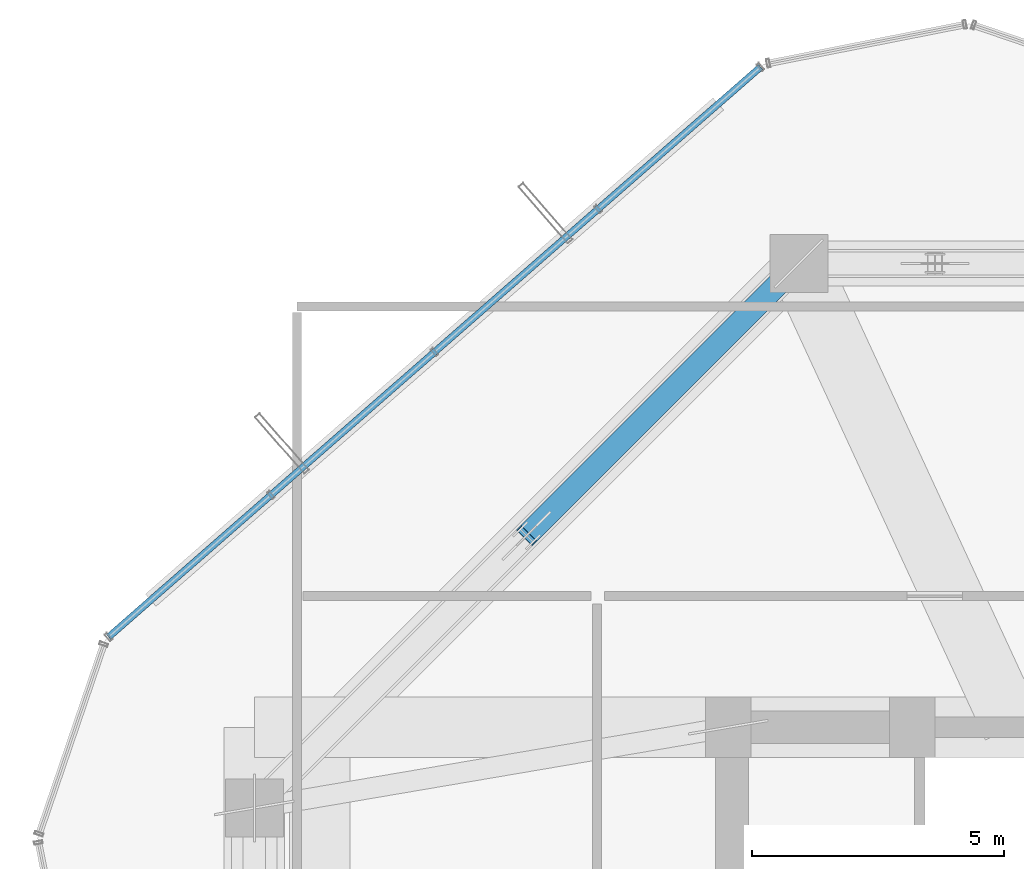
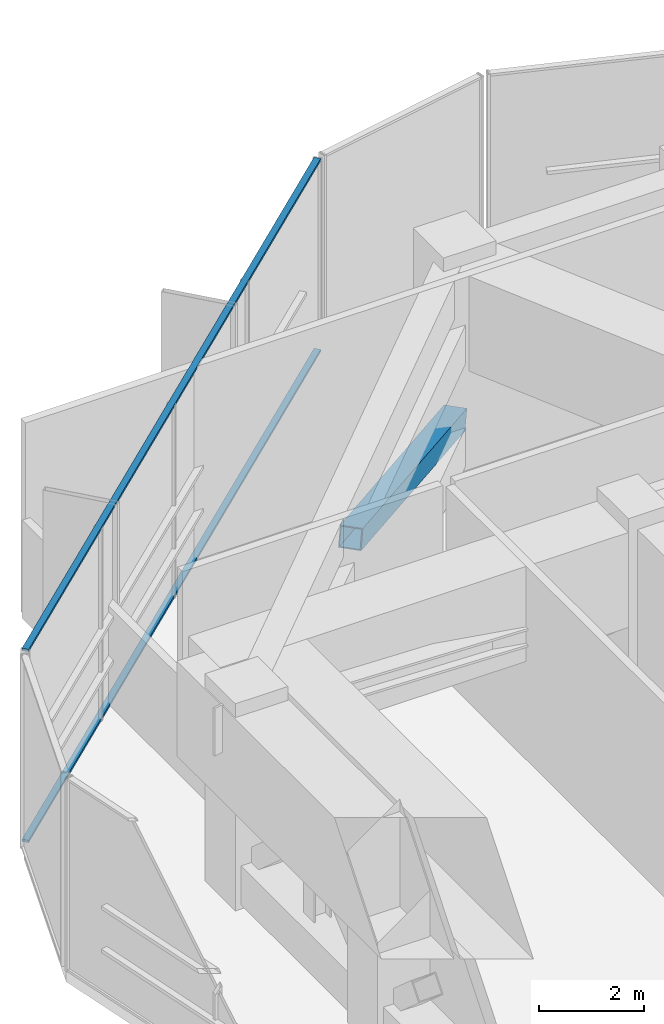
# One storey, part 23 of 36: 3 members, 1 element without a shape of its own.
"""IFC4 building model written with IfcOpenShell, lengths in metres."""

import ifcopenshell
import ifcopenshell.guid

model = None  # the IFC model being written
_history = None  # IfcOwnerHistory: only IFC2X3 demands one
_inside = {}  # id of a spatial element -> (the spatial element, [elements in it])
_under = {}  # id of a project, library or spatial element -> (it, [spatial elements below it])
_declared = {}  # id of a project -> (the project, [libraries it declares])
_typed = {}  # id of a type object -> (the type object, [elements of that type])
_made_of = {}  # id of a material, layer set ... -> (it, [elements and type objects made of it])


def new_model(schema):
    """Start an empty IFC model of exactly this schema.

    Asked for "IFC4X3", IfcOpenShell would pick the latest addendum, in which some entities
    have other attributes; the version numbers below select the first issue.
    IFC2X3 requires an IfcOwnerHistory on every rooted entity: one is made here for all.
    """
    global model, _history
    if schema == "IFC4X3":
        model = ifcopenshell.file(schema_version=(4, 3, 0, 0))
    else:
        model = ifcopenshell.file(schema=schema)
    _inside.clear()
    _under.clear()
    _declared.clear()
    _typed.clear()
    _made_of.clear()
    _history = None
    if model.schema == "IFC2X3":
        org = make("IfcOrganization", Name="unknown")
        user = make(
            "IfcPersonAndOrganization",
            ThePerson=make("IfcPerson", FamilyName="unknown"),
            TheOrganization=org,
        )
        app = make(
            "IfcApplication",
            ApplicationDeveloper=org,
            Version="unknown",
            ApplicationFullName="unknown",
            ApplicationIdentifier="unknown",
        )
        _history = make(
            "IfcOwnerHistory",
            OwningUser=user,
            OwningApplication=app,
            ChangeAction="ADDED",
            CreationDate=0,
        )
    return model


def make(cls, **values):
    """One entity of the class cls with the attributes given. An attribute that is None is left unset."""
    return model.create_entity(
        cls, **{name: value for name, value in values.items() if value is not None}
    )


def rooted(cls, **values):
    """An entity with a GlobalId (a new one), such as an element, a storey or a relation."""
    return make(cls, GlobalId=ifcopenshell.guid.new(), OwnerHistory=_history, **values)


def si_unit(unit_type, name, prefix=None):
    """IfcSIUnit, for example si_unit("LENGTHUNIT", "METRE", prefix="MILLI")."""
    return make("IfcSIUnit", UnitType=unit_type, Prefix=prefix, Name=name)


def assignment(units):
    """IfcUnitAssignment: the units of a project."""
    return None if units is None else make("IfcUnitAssignment", Units=units)


def point(xyz):
    """IfcCartesianPoint."""
    return None if xyz is None else make("IfcCartesianPoint", Coordinates=xyz)


def direction(xyz):
    """IfcDirection."""
    return None if xyz is None else make("IfcDirection", DirectionRatios=xyz)


def frame(location, z_axis=None, x_axis=None):
    """IfcAxis2Placement3D, a coordinate frame: its origin and axes. An axis left out is left unset."""
    return make(
        "IfcAxis2Placement3D",
        Location=point(location),
        Axis=direction(z_axis),
        RefDirection=direction(x_axis),
    )


def frame_2d(location, x_axis=None):
    """IfcAxis2Placement2D, a coordinate frame in the plane: its origin and x axis."""
    return make(
        "IfcAxis2Placement2D", Location=point(location), RefDirection=direction(x_axis)
    )


def origin():
    """The frame at (0, 0, 0) with its axes left unset."""
    return frame((0.0, 0.0, 0.0))


def origin_2d():
    """The frame at (0, 0) in the plane with its x axis left unset."""
    return frame_2d((0.0, 0.0))


def place(relative_to, where):
    """IfcLocalPlacement: puts the frame where relative to a parent placement (None: the world)."""
    return make(
        "IfcLocalPlacement", PlacementRelTo=relative_to, RelativePlacement=where
    )


def context(
    kind, dimensions, precision=None, world=None, true_north=None, identifier=None
):
    """IfcGeometricRepresentationContext, for example the 3D "Model" context."""
    return make(
        "IfcGeometricRepresentationContext",
        ContextIdentifier=identifier,
        ContextType=kind,
        CoordinateSpaceDimension=dimensions,
        Precision=precision,
        WorldCoordinateSystem=world,
        TrueNorth=true_north,
    )


def subcontext(parent, identifier, kind, view, scale=None):
    """IfcGeometricRepresentationSubContext, for example "Body" below "Model"."""
    return make(
        "IfcGeometricRepresentationSubContext",
        ContextIdentifier=identifier,
        ContextType=kind,
        ParentContext=parent,
        TargetScale=scale,
        TargetView=view,
    )


def project(units=None, contexts=None):
    """IfcProject with its units and contexts."""
    return rooted(
        "IfcProject",
        Name="project",
        RepresentationContexts=contexts,
        UnitsInContext=assignment(units),
    )


def spatial(cls, under=None, at=None, **own):
    """A site, building, storey or space (cls), placed at a placement, below another one or the project."""
    s = rooted(cls, ObjectPlacement=at, **own)
    if under is not None:
        _under.setdefault(under.id(), (under, []))[1].append(s)
    return s


def profile(cls, at=None, kind="AREA", **sizes):
    """A parametric profile (cls). Its sizes go by their IFC names, for example OverallWidth=200.0."""
    return make(cls, ProfileType=kind, Position=at, **sizes)


def hollow_rectangle(**sizes):
    """IfcRectangleHollowProfileDef."""
    return profile("IfcRectangleHollowProfileDef", **sizes)


def extrude(swept, where, along, depth):
    """IfcExtrudedAreaSolid: the profile swept, set in the frame where, extruded along a direction by depth."""
    return make(
        "IfcExtrudedAreaSolid",
        SweptArea=swept,
        Position=where,
        ExtrudedDirection=direction(along),
        Depth=depth,
    )


def shape(context_of_items, identifier, shape_type, items):
    """IfcShapeRepresentation: the items that make up one representation, for example the "Body"."""
    return make(
        "IfcShapeRepresentation",
        ContextOfItems=context_of_items,
        RepresentationIdentifier=identifier,
        RepresentationType=shape_type,
        Items=items,
    )


def source(mapping_origin, context_of_items, identifier, shape_type, items):
    """IfcRepresentationMap: a shape defined once, which mapped items show again and again."""
    return make(
        "IfcRepresentationMap",
        MappingOrigin=mapping_origin,
        MappedRepresentation=shape(context_of_items, identifier, shape_type, items),
    )


def transform(
    local_origin,
    x_axis=None,
    y_axis=None,
    z_axis=None,
    scale=None,
    scale2=None,
    scale3=None,
    uniform=True,
):
    """IfcCartesianTransformationOperator3D, or its non-uniform kind. x_axis, y_axis, z_axis: its Axis1, 2, 3."""
    if uniform:
        return make(
            "IfcCartesianTransformationOperator3D",
            Axis1=direction(x_axis),
            Axis2=direction(y_axis),
            LocalOrigin=point(local_origin),
            Scale=scale,
            Axis3=direction(z_axis),
        )
    return make(
        "IfcCartesianTransformationOperator3DnonUniform",
        Axis1=direction(x_axis),
        Axis2=direction(y_axis),
        LocalOrigin=point(local_origin),
        Scale=scale,
        Axis3=direction(z_axis),
        Scale2=scale2,
        Scale3=scale3,
    )


def mapped(mapping_source, mapping_target):
    """IfcMappedItem: shows the shape of a source again, moved by a transform."""
    return make(
        "IfcMappedItem", MappingSource=mapping_source, MappingTarget=mapping_target
    )


def material(Name=None, Category=None):
    """IfcMaterial."""
    return make("IfcMaterial", Name=Name, Category=Category)


def layer(
    of_material, thickness, ventilated=None, Name=None, Category=None, Priority=None
):
    """IfcMaterialLayer: one layer of a wall or slab, of a material (None: an air gap)."""
    return make(
        "IfcMaterialLayer",
        Material=of_material,
        LayerThickness=thickness,
        IsVentilated=ventilated,
        Name=Name,
        Category=Category,
        Priority=Priority,
    )


def layer_set(layers, Name=None):
    """IfcMaterialLayerSet."""
    return make("IfcMaterialLayerSet", MaterialLayers=layers, LayerSetName=Name)


def material_profile(
    of_material, cross_section, Name=None, Category=None, Priority=None
):
    """IfcMaterialProfile: a cross section and its material."""
    return make(
        "IfcMaterialProfile",
        Name=Name,
        Material=of_material,
        Profile=cross_section,
        Priority=Priority,
        Category=Category,
    )


def profile_set(profiles, Name=None, composite=None):
    """IfcMaterialProfileSet."""
    return make(
        "IfcMaterialProfileSet",
        Name=Name,
        MaterialProfiles=profiles,
        CompositeProfile=composite,
    )


def made_of(thing, what):
    """Note that an element or type object is made of a material, layer set ...; save() writes the relation."""
    if what is not None:
        _made_of.setdefault(what.id(), (what, []))[1].append(thing)
    return thing


def type_object(cls, material=None, **own):
    """A type object (cls), such as IfcWallType, which elements share."""
    return made_of(rooted(cls, **own), material)


def element(
    cls,
    number,
    at=None,
    inside=None,
    cuts=None,
    type_object=None,
    material=None,
    context=None,
    identifier="Body",
    shape_type=None,
    held_by="IfcProductDefinitionShape",
    body=None,
    shapes=None,
    **own,
):
    """One element of the class cls, such as IfcWall. Its Tag is "e" and its number.

    at: its placement. inside: the storey or other place that contains it. cuts: it is an
    opening in that element (IfcRelVoidsElement). A single representation is given by context,
    identifier, shape_type and body (its items); several are given by shapes. held_by: the class
    of the entity that holds the representations. save() writes the other relations.
    """
    e = rooted(cls, Tag="e%d" % number, ObjectPlacement=at, **own)
    if body is not None:
        shapes = [shape(context, identifier, shape_type, body)]
    if shapes is not None:
        e.Representation = make(held_by, Representations=shapes)
    if inside is not None:
        _inside.setdefault(inside.id(), (inside, []))[1].append(e)
    if cuts is not None:
        rooted(
            "IfcRelVoidsElement", RelatingBuildingElement=cuts, RelatedOpeningElement=e
        )
    if type_object is not None:
        _typed.setdefault(type_object.id(), (type_object, []))[1].append(e)
    return made_of(e, material)


def aggregate(whole, parts):
    """IfcRelAggregates: a whole, such as a stair, and the parts it consists of."""
    return rooted("IfcRelAggregates", RelatingObject=whole, RelatedObjects=parts)


def save(model, path):
    """Write the relations noted so far, then the file.

    IfcRelAggregates (storeys below a building ...), IfcRelContainedInSpatialStructure (elements
    in a storey), IfcRelDefinesByType, IfcRelAssociatesMaterial and IfcRelDeclares: one each for
    every whole, place, type object, material and project.
    """
    for whole, parts in _under.values():
        aggregate(whole, parts)
    for where, things in _inside.values():
        rooted(
            "IfcRelContainedInSpatialStructure",
            RelatedElements=things,
            RelatingStructure=where,
        )
    for kind, things in _typed.values():
        rooted("IfcRelDefinesByType", RelatedObjects=things, RelatingType=kind)
    for what, things in _made_of.values():
        rooted("IfcRelAssociatesMaterial", RelatedObjects=things, RelatingMaterial=what)
    for by, libraries in _declared.values():
        rooted("IfcRelDeclares", RelatingContext=by, RelatedDefinitions=libraries)
    model.write(path)


model = new_model("IFC4")

# Units and contexts
model_context = context("Model", 3, precision=1e-05, world=origin(), true_north=direction((0.0, 1.0)))
body_context = subcontext(model_context, "Body", "Model", "MODEL_VIEW")
ifc_project = project(units=[si_unit("LENGTHUNIT", "METRE"), si_unit("AREAUNIT", "SQUARE_METRE"), si_unit("VOLUMEUNIT", "CUBIC_METRE"), si_unit("PLANEANGLEUNIT", "RADIAN"), si_unit("MASSUNIT", "GRAM", prefix="KILO")], contexts=[model_context])

# Site, building, storey
site_placement = place(None, origin())
site = spatial("IfcSite", under=ifc_project, at=site_placement, CompositionType="ELEMENT")
building_placement = place(site_placement, origin())
building = spatial("IfcBuilding", under=site, at=building_placement, Name="Veraguas Prism Commons", CompositionType="ELEMENT")
storey_placement = place(building_placement, frame((0.0, 0.0, 169.550048828125)))
storey = spatial("IfcBuildingStorey", under=building, at=storey_placement, Name="L48", CompositionType="ELEMENT", Elevation=169.550048828125)

# Member
ifc_material_1 = material(Name="Steel ASTM A500 Grade C", Category="steel")
ifc_material_profile_1 = material_profile(ifc_material_1, hollow_rectangle(XDim=0.449951171875, YDim=0.449951171875, WallThickness=0.02197265625, at=origin_2d()), Name="HSS450X450X22")
ifc_profile_set_1 = profile_set([ifc_material_profile_1], Name="Steel ASTM A500 Grade C")
member_type_1 = type_object("IfcMemberType", Name="Mid Belt Diagonal HSS 450x450x22", PredefinedType="BRACE", material=ifc_profile_set_1)
member_1_placement = place(storey_placement, frame((18.60009765625, 40.199951171875, 0.550048828125), z_axis=(-0.675100753948, -0.675070232643, 0.297521684954), x_axis=(0.707090796496, -0.707122765516, 0.0)))
element("IfcMember", 1, at=member_1_placement, inside=storey, type_object=member_type_1, Name="Perimeter Belt Truss Brace L48-06A", PredefinedType="BRACE", context=body_context, shape_type="SweptSolid", body=[
    extrude(hollow_rectangle(XDim=0.449951171875, YDim=0.449951171875, WallThickness=0.02197265625, at=origin_2d()), origin(), (0.0, 0.0, 1.0), 7.9990234375),
])

# Curtain wall, members
ifc_material_2 = material(Name="Anodised aluminium EN AW-6063 T6", Category="aluminium")
ifc_layer = layer(ifc_material_2, 0.169921875, Name="Unitised Flush Curtain Wall Zone 2", Category="aluminium")
ifc_layer_set = layer_set([ifc_layer], Name="Anodised aluminium EN AW-6063 T6")
curtain_wall_type = type_object("IfcCurtainWallType", Name="Unitised Flush Curtain Wall Zone 2", PredefinedType="NOTDEFINED", material=ifc_layer_set)
curtain_wall_placement = place(storey_placement, origin())
curtain_wall = element("IfcCurtainWall", 2, at=curtain_wall_placement, inside=storey, type_object=curtain_wall_type, Name="Tower Facade Curtain Wall L48-F2", PredefinedType="NOTDEFINED")
ifc_material_profile_2 = material_profile(ifc_material_2, hollow_rectangle(XDim=0.054931640625, YDim=0.135009765625, WallThickness=0.0029296875, at=origin_2d()), Name="AL55X135X3")
ifc_profile_set_2 = profile_set([ifc_material_profile_2], Name="Anodised aluminium EN AW-6063 T6")
member_type_2 = type_object("IfcMemberType", Name="Curtain Wall Transom Standard AL 55x135x3", PredefinedType="USERDEFINED", material=ifc_profile_set_2)
shared_shape = source(origin(), body_context, "Body", "SweptSolid", [
    extrude(hollow_rectangle(XDim=0.054931640625, YDim=0.135009765625, WallThickness=0.0029296875, at=origin_2d()), origin(), (0.0, 0.0, 1.0), 17.17431640625),
])
member_2_placement = place(storey_placement, frame((17.83984375, 44.09375, 0.02734375), z_axis=(-0.752877781906, -0.658160349392, 0.0), x_axis=(0.0, 0.0, 1.0)))
member_2 = element("IfcMember", 3, at=member_2_placement, type_object=member_type_2, Name="CW-Z2 Transom 1", ObjectType="TRANSOM", PredefinedType="USERDEFINED", context=body_context, shape_type="MappedRepresentation", body=[
    mapped(shared_shape, transform((0.0, 0.0, 0.0), scale=1.0)),
])
member_3_placement = place(storey_placement, frame((17.83984375, 44.09375, 4.452392578125), z_axis=(-0.752877781906, -0.658160349392, 0.0), x_axis=(0.0, 0.0, 1.0)))
member_3 = element("IfcMember", 4, at=member_3_placement, type_object=member_type_2, Name="CW-Z2 Transom 2", ObjectType="TRANSOM", PredefinedType="USERDEFINED", context=body_context, shape_type="MappedRepresentation", body=[
    mapped(shared_shape, transform((0.0, 0.0, 0.0), scale=1.0)),
])
aggregate(curtain_wall, [member_2, member_3])

save(model, "model.ifc")
